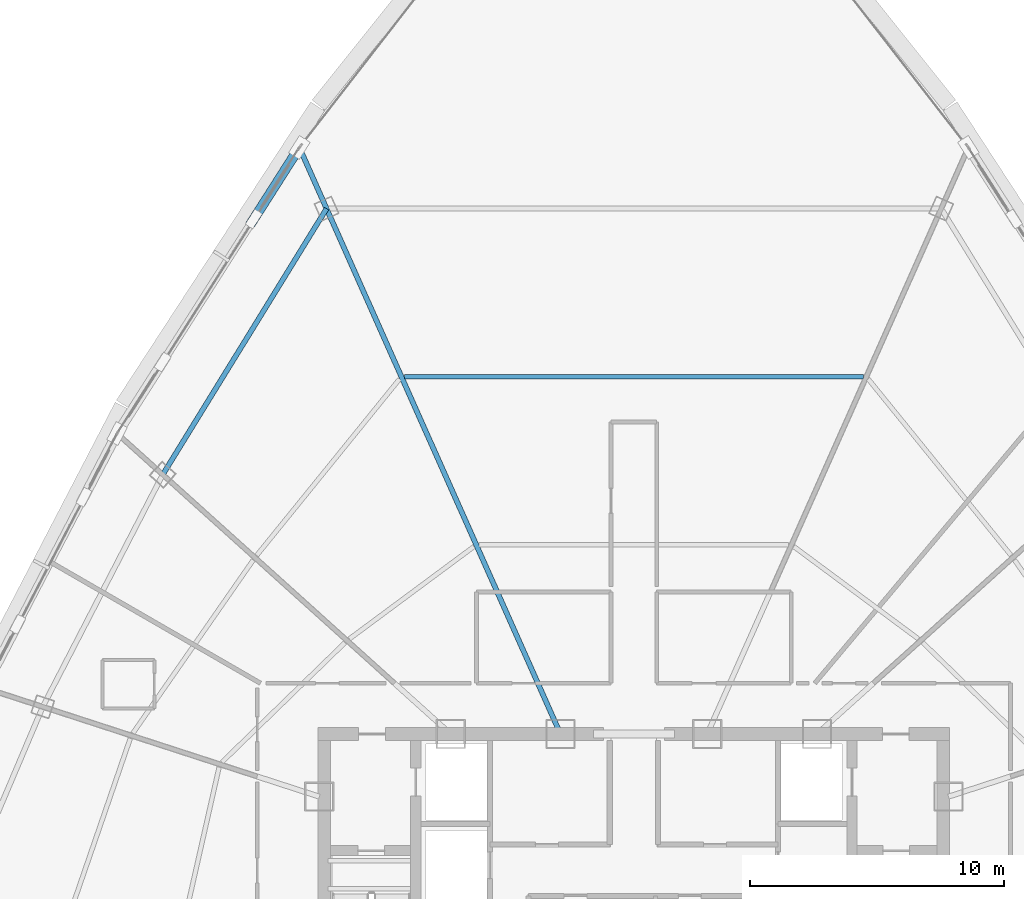
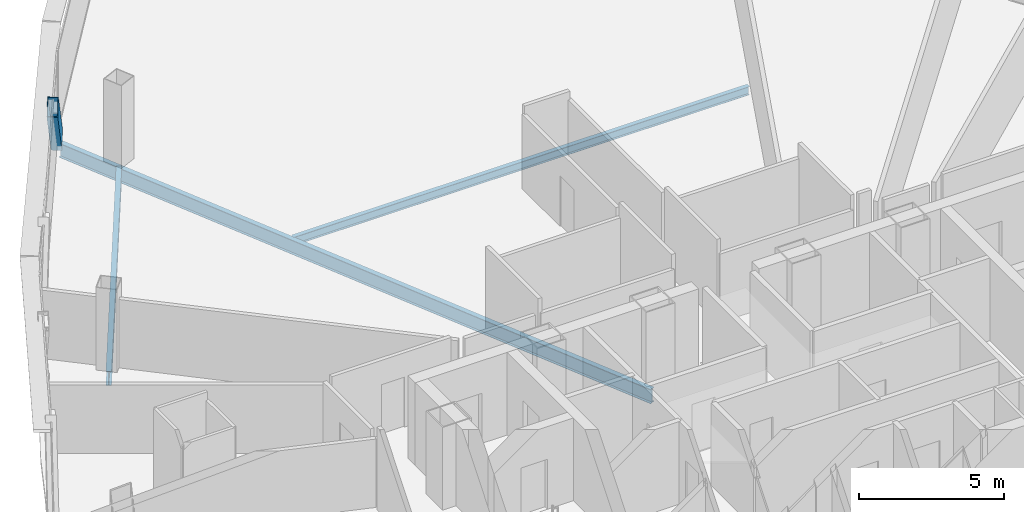
# One storey, part 21 of 40: 3 beams, 1 member.
"""IFC4 building model written with IfcOpenShell, lengths in metres."""

from ifc_helpers import new_model, si_unit, direction, frame, origin, origin_2d, place, context, subcontext, project, spatial, hollow_rectangle, i_section, extrude, source, transform, mapped, material, material_profile, profile_set, type_object, element, save


model = new_model("IFC4")

# Units and contexts
model_context = context("Model", 3, precision=1e-05, world=origin(), true_north=direction((0.0, 1.0)))
body_context = subcontext(model_context, "Body", "Model", "MODEL_VIEW")
ifc_project = project(units=[si_unit("LENGTHUNIT", "METRE"), si_unit("AREAUNIT", "SQUARE_METRE"), si_unit("VOLUMEUNIT", "CUBIC_METRE"), si_unit("PLANEANGLEUNIT", "RADIAN"), si_unit("MASSUNIT", "GRAM", prefix="KILO"), si_unit("THERMODYNAMICTEMPERATUREUNIT", "KELVIN"), si_unit("POWERUNIT", "WATT")], contexts=[model_context])

# Site, building, storey
site_placement = place(None, origin())
site = spatial("IfcSite", under=ifc_project, at=site_placement, CompositionType="ELEMENT")
building_placement = place(site_placement, origin())
building = spatial("IfcBuilding", under=site, at=building_placement, Name="Yunzhuo Pagoda Commons", CompositionType="ELEMENT")
storey_placement = place(building_placement, frame((0.0, 0.0, 288.75)))
storey = spatial("IfcBuildingStorey", under=building, at=storey_placement, Name="L72", CompositionType="ELEMENT", Elevation=288.75)

# Beams
ifc_material = material(Name="Structural steel Q355B", Category="steel")
ifc_material_profile_1 = material_profile(ifc_material, i_section(OverallWidth=0.199951171875, OverallDepth=0.60009765625, WebThickness=0.010986328125, FlangeThickness=0.01708984375, at=origin_2d()), Name="Structural steel Q355B")
ifc_profile_set_1 = profile_set([ifc_material_profile_1], Name="Structural steel Q355B")
beam_type_1 = type_object("IfcBeamType", Name="B-RG3 Beam HN 600x200x11x17", PredefinedType="BEAM", material=ifc_profile_set_1)
shared_shape_1 = source(origin(), body_context, "Body", "SweptSolid", [
    extrude(i_section(OverallWidth=0.199951171875, OverallDepth=0.60009765625, WebThickness=0.010986328125, FlangeThickness=0.01708984375, at=origin_2d()), origin(), (0.0, 0.0, 1.0), 12.315185546875),
])
beam_1_placement = place(storey_placement, frame((35.8857421875, 60.9091796875, -0.56005859375), z_axis=(-0.524469015689, -0.851429534126, 0.0), x_axis=(0.851429534126, -0.524469015689, 0.0)))
element("IfcBeam", 1, at=beam_1_placement, inside=storey, type_object=beam_type_1, Name="L72 column-ring beam 9", PredefinedType="BEAM", context=body_context, shape_type="MappedRepresentation", body=[
    mapped(shared_shape_1, transform((0.0, 0.0, 0.0), scale=1.0)),
])
ifc_material_profile_2 = material_profile(ifc_material, i_section(OverallWidth=0.175048828125, OverallDepth=0.35009765625, WebThickness=0.007080078125, FlangeThickness=0.010986328125, at=origin_2d()), Name="Structural steel Q355B")
ifc_profile_set_2 = profile_set([ifc_material_profile_2], Name="Structural steel Q355B")
beam_type_2 = type_object("IfcBeamType", Name="B-JS2 Joist HN 350x175x7x11", PredefinedType="JOIST", material=ifc_profile_set_2)
shared_shape_2 = source(origin(), body_context, "Body", "SweptSolid", [
    extrude(i_section(OverallWidth=0.175048828125, OverallDepth=0.35009765625, WebThickness=0.007080078125, FlangeThickness=0.010986328125, at=origin_2d()), origin(), (0.0, 0.0, 1.0), 18.09765625),
])
beam_2_placement = place(storey_placement, frame((57.048828125, 54.2822265625, -0.43505859375), z_axis=(-1.0, 0.0, 0.0), x_axis=(0.0, -1.0, 0.0)))
element("IfcBeam", 2, at=beam_2_placement, inside=storey, type_object=beam_type_2, Name="L72 composite ring joist 2.8", PredefinedType="JOIST", context=body_context, shape_type="MappedRepresentation", body=[
    mapped(shared_shape_2, transform((0.0, 0.0, 0.0), scale=1.0)),
])
shared_shape_3 = source(origin(), body_context, "Body", "SweptSolid", [
    extrude(i_section(OverallWidth=0.199951171875, OverallDepth=0.60009765625, WebThickness=0.010986328125, FlangeThickness=0.01708984375, at=origin_2d()), origin(), (0.0, 0.0, 1.0), 25.15283203125),
])
beam_3_placement = place(storey_placement, frame((34.87548828125, 63.17822265625, -0.56005859375), z_axis=(0.40673276589, -0.913547183867, 0.0), x_axis=(0.913547183867, 0.40673276589, 0.0)))
element("IfcBeam", 3, at=beam_3_placement, inside=storey, type_object=beam_type_1, Name="L72 radial floor girder F3C1", PredefinedType="BEAM", context=body_context, shape_type="MappedRepresentation", body=[
    mapped(shared_shape_3, transform((0.0, 0.0, 0.0), scale=1.0)),
])

# Member
ifc_material_profile_3 = material_profile(ifc_material, hollow_rectangle(XDim=0.3798828125, YDim=0.719970703125, WallThickness=0.02001953125, at=origin_2d()), Name="Structural steel Q355B")
ifc_profile_set_3 = profile_set([ifc_material_profile_3], Name="Structural steel Q355B")
member_type = type_object("IfcMemberType", Name="M-DL3 Brace BOX 720x380x20", PredefinedType="BRACE", material=ifc_profile_set_3)
shared_shape_4 = source(origin(), body_context, "Body", "SweptSolid", [
    extrude(hollow_rectangle(XDim=0.3798828125, YDim=0.719970703125, WallThickness=0.02001953125, at=origin_2d()), origin(), (0.0, 0.0, 1.0), 5.008544921875),
])
member_placement = place(storey_placement, frame((34.8125, 63.319580078125, -0.260009765625), z_axis=(-0.358663395256, -0.562806137759, 0.744721303713), x_axis=(0.843312439259, -0.537423603678, 0.0)))
element("IfcMember", 4, at=member_placement, inside=storey, type_object=member_type, Name="L72 facade diamond brace F3.1L", PredefinedType="BRACE", context=body_context, shape_type="MappedRepresentation", body=[
    mapped(shared_shape_4, transform((0.0, 0.0, 0.0), scale=1.0)),
])

save(model, "model.ifc")
